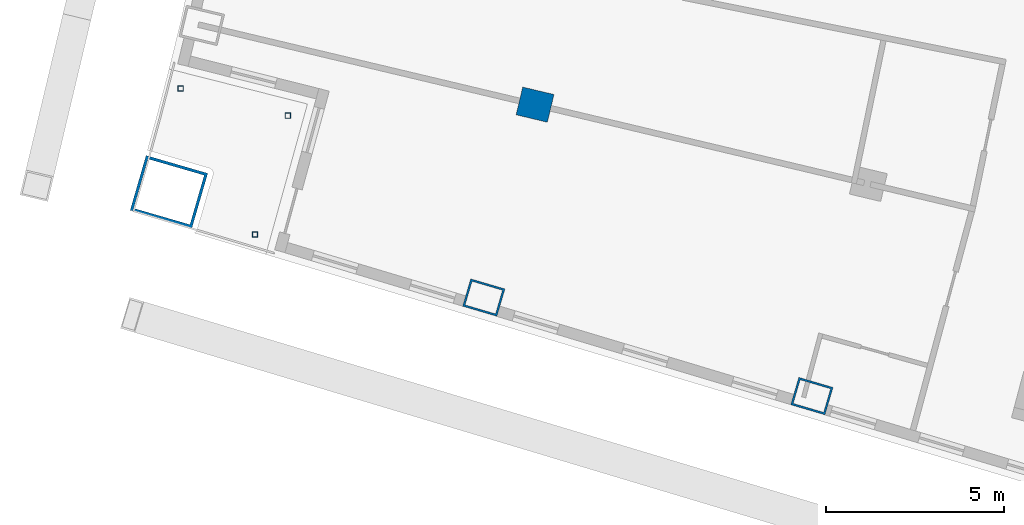
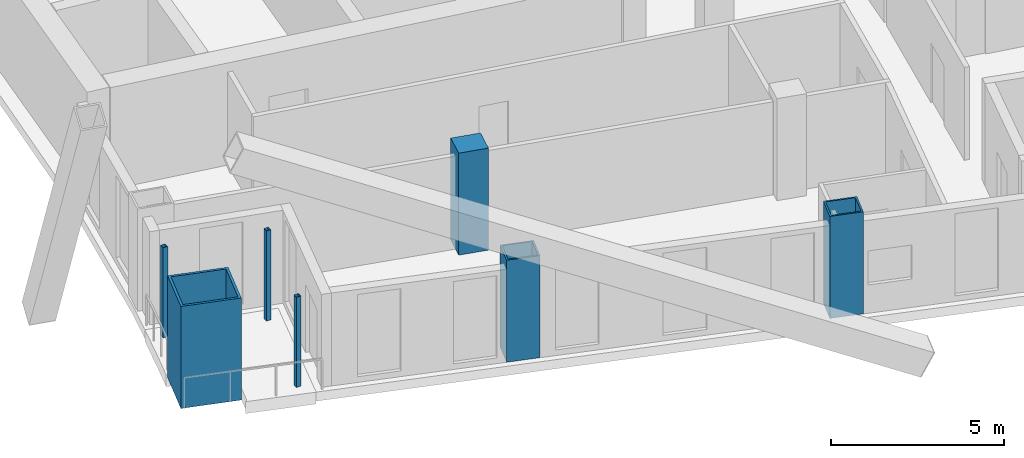
# One storey, part 1 of 19: 7 columns.
"""IFC4 building model written with IfcOpenShell, lengths in metres."""

from ifc_helpers import new_model, si_unit, direction, frame, origin, origin_2d, place, context, subcontext, project, spatial, rectangle, hollow_rectangle, extrude, material, material_profile, profile_set, type_object, element, save


model = new_model("IFC4")

# Units and contexts
model_context = context("Model", 3, precision=1e-05, world=origin(), true_north=direction((0.0, 1.0)))
body_context = subcontext(model_context, "Body", "Model", "MODEL_VIEW")
ifc_project = project(units=[si_unit("LENGTHUNIT", "METRE"), si_unit("AREAUNIT", "SQUARE_METRE"), si_unit("VOLUMEUNIT", "CUBIC_METRE"), si_unit("PLANEANGLEUNIT", "RADIAN"), si_unit("MASSUNIT", "GRAM", prefix="KILO")], contexts=[model_context])

# Site, building, storey
site_placement = place(None, origin())
site = spatial("IfcSite", under=ifc_project, at=site_placement, CompositionType="ELEMENT")
building_placement = place(site_placement, origin())
building = spatial("IfcBuilding", under=site, at=building_placement, Name="Alderwake Tower", CompositionType="ELEMENT")
storey_placement = place(building_placement, frame((0.0, 0.0, 171.199951171875)))
storey = spatial("IfcBuildingStorey", under=building, at=storey_placement, Name="L42", CompositionType="ELEMENT", Elevation=171.199951171875)

# Columns
ifc_material_1 = material(Name="Steel ASTM A572 Grade 50 concrete filled C70/85", Category="concrete")
ifc_material_profile_1 = material_profile(ifc_material_1, hollow_rectangle(XDim=0.800048828125, YDim=1.0, WallThickness=0.054931640625, at=origin_2d()), Name="BOX 1000X800X55")
ifc_profile_set_1 = profile_set([ifc_material_profile_1], Name="Steel ASTM A572 Grade 50 concrete filled C70/85")
column_type_1 = type_object("IfcColumnType", Name="End column Z3", PredefinedType="COLUMN", material=ifc_profile_set_1)
for number, where, z_axis, x_axis, name in (
    (1, (21.885498046875, 31.03759765625, 0.0), (0.0, 0.0, 1.0), (0.282132160283, 0.95937554906, 0.0), "Column R02-C1"),
    (2, (31.080322265625, 28.27685546875, 0.0), (0.0, 0.0, 1.0), (0.282582549822, 0.959242984095, 0.0), "Column R02-C2"),
):
    element("IfcColumn", number, at=place(storey_placement, frame(where, z_axis=z_axis, x_axis=x_axis)), inside=storey, type_object=column_type_1, Name=name, PredefinedType="COLUMN", context=body_context, shape_type="SweptSolid", body=[
        extrude(hollow_rectangle(XDim=0.800048828125, YDim=1.0, WallThickness=0.054931640625, at=origin_2d()), origin(), (0.0, 0.0, 1.0), 3.60009765625),
    ])
ifc_material_2 = material(Name="Concrete C70/85", Category="concrete")
ifc_material_profile_2 = material_profile(ifc_material_2, rectangle(XDim=0.800048828125, YDim=0.89990234375, at=origin_2d()), Name="RC 900X800")
ifc_profile_set_2 = profile_set([ifc_material_profile_2], Name="Concrete C70/85")
column_type_2 = type_object("IfcColumnType", Name="Interior column Z3", PredefinedType="COLUMN", material=ifc_profile_set_2)
column_1_placement = place(storey_placement, frame((23.322021484375, 36.444091796875, 0.0), z_axis=(0.0, 0.0, 1.0), x_axis=(0.231221547198, 0.972901123502, 0.0)))
element("IfcColumn", 3, at=column_1_placement, inside=storey, type_object=column_type_2, Name="Column R03-C1", PredefinedType="COLUMN", context=body_context, shape_type="SweptSolid", body=[
    extrude(rectangle(XDim=0.800048828125, YDim=0.89990234375, at=origin_2d()), origin(), (0.0, 0.0, 1.0), 3.60009765625),
])
ifc_material_3 = material(Name="Steel ASTM A500 Grade C", Category="steel")
ifc_material_profile_3 = material_profile(ifc_material_3, hollow_rectangle(XDim=0.15234375, YDim=0.15234375, WallThickness=0.0087890625, at=origin_2d()), Name="HSS6X6X3/8")
ifc_profile_set_3 = profile_set([ifc_material_profile_3], Name="Steel ASTM A500 Grade C")
column_type_3 = type_object("IfcColumnType", Name="Light post HSS6X6X3/8", PredefinedType="COLUMN", material=ifc_profile_set_3)
for number, where, z_axis, x_axis, name in (
    (4, (13.3896484375, 36.896484375, 0.0), (0.0, 0.0, 1.0), (1.0, 0.0, 0.0), "Terrace post RS1"),
    (5, (15.47412109375, 32.805908203125, 0.0), (0.0, 0.0, 1.0), (1.0, 0.0, 0.0), "Terrace post RS2"),
    (6, (16.39501953125, 36.135986328125, 0.0), (0.0, 0.0, 1.0), (1.0, 0.0, 0.0), "Terrace post RS3"),
):
    element("IfcColumn", number, at=place(storey_placement, frame(where, z_axis=z_axis, x_axis=x_axis)), inside=storey, type_object=column_type_3, Name=name, PredefinedType="COLUMN", context=body_context, shape_type="SweptSolid", body=[
        extrude(hollow_rectangle(XDim=0.15234375, YDim=0.15234375, WallThickness=0.0087890625, at=origin_2d()), origin(), (0.0, 0.0, 1.0), 3.179931640625),
    ])
ifc_material_4 = material(Name="Steel ASTM A572 Grade 50 concrete filled C70/85", Category="concrete")
ifc_material_profile_4 = material_profile(ifc_material_4, hollow_rectangle(XDim=1.60009765625, YDim=1.800048828125, WallThickness=0.080078125, at=origin_2d()), Name="BOX 1800X1600X80")
ifc_profile_set_4 = profile_set([ifc_material_profile_4], Name="Steel ASTM A572 Grade 50 concrete filled C70/85")
column_type_4 = type_object("IfcColumnType", Name="Mega column Z3", PredefinedType="COLUMN", material=ifc_profile_set_4)
column_2_placement = place(storey_placement, frame((13.06298828125, 34.00244140625, 0.0), z_axis=(0.0, 0.0, 1.0), x_axis=(0.278612301868, 0.960403657452, 0.0)))
element("IfcColumn", 7, at=column_2_placement, inside=storey, type_object=column_type_4, Name="Column R02-C0", PredefinedType="COLUMN", context=body_context, shape_type="SweptSolid", body=[
    extrude(hollow_rectangle(XDim=1.60009765625, YDim=1.800048828125, WallThickness=0.080078125, at=origin_2d()), origin(), (0.0, 0.0, 1.0), 3.60009765625),
])

save(model, "model.ifc")
